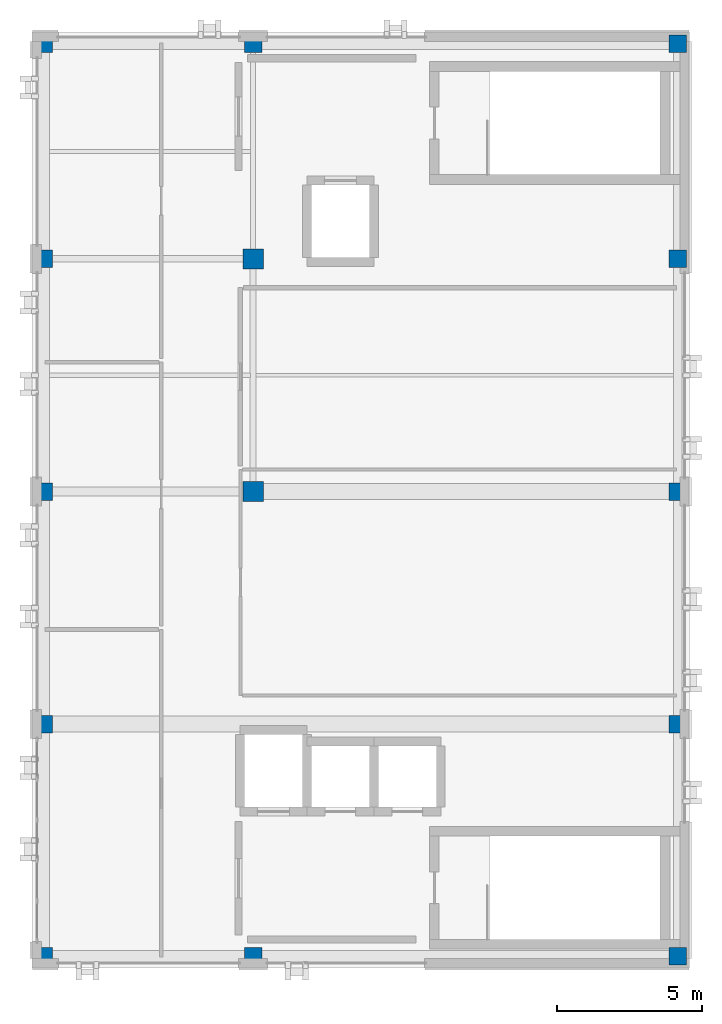
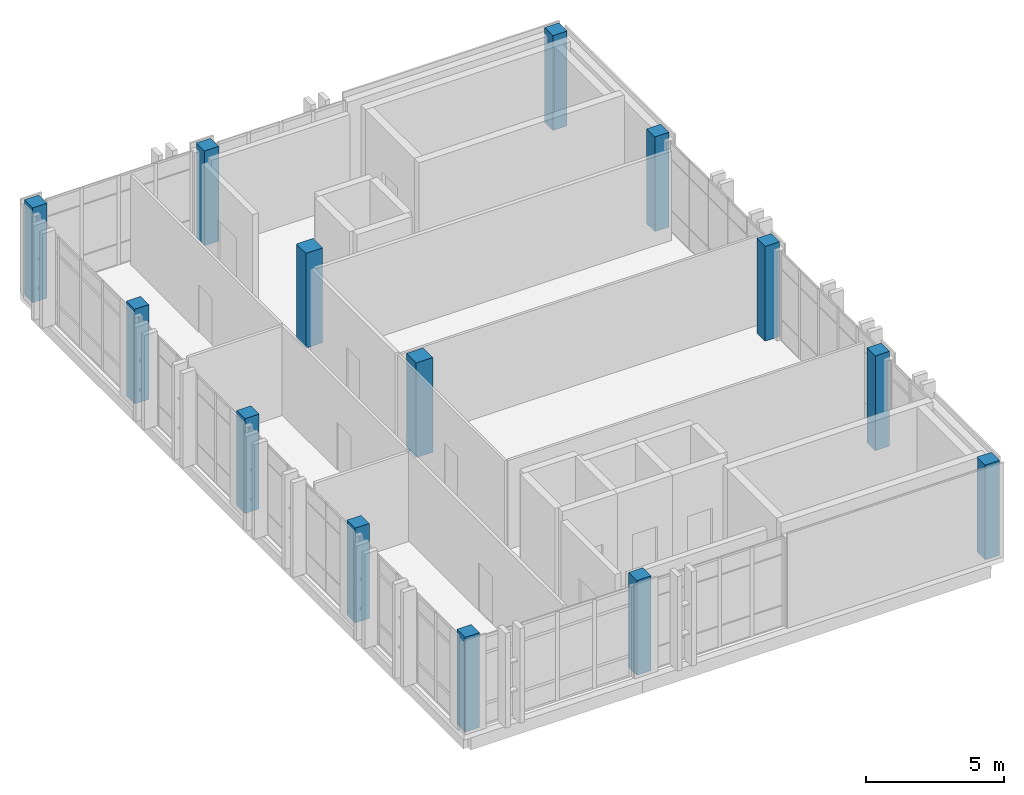
# One storey, part 1 of 19: 14 columns.
"""IFC4 building model written with IfcOpenShell, lengths in metres."""

from ifc_helpers import new_model, si_unit, direction, frame, origin, origin_2d, place, context, subcontext, project, spatial, rectangle, extrude, material, material_profile, profile_set, type_object, element, save


model = new_model("IFC4")

# Units and contexts
model_context = context("Model", 3, precision=1e-05, world=origin(), true_north=direction((0.0, 1.0)))
body_context = subcontext(model_context, "Body", "Model", "MODEL_VIEW")
ifc_project = project(units=[si_unit("LENGTHUNIT", "METRE"), si_unit("AREAUNIT", "SQUARE_METRE"), si_unit("VOLUMEUNIT", "CUBIC_METRE"), si_unit("PLANEANGLEUNIT", "RADIAN"), si_unit("MASSUNIT", "GRAM", prefix="KILO")], contexts=[model_context])

# Site, building, storey
site_placement = place(None, origin())
site = spatial("IfcSite", under=ifc_project, at=site_placement, CompositionType="ELEMENT")
building_placement = place(site_placement, origin())
building = spatial("IfcBuilding", under=site, at=building_placement, Name="Qalavern Law Courts", CompositionType="ELEMENT")
storey_placement = place(building_placement, frame((0.0, 0.0, 39.60009765625)))
storey = spatial("IfcBuildingStorey", under=building, at=storey_placement, Name="L09", CompositionType="ELEMENT", Elevation=39.60009765625)

# Columns
ifc_material = material(Name="Concrete C45/55", Category="concrete")
ifc_material_profile_1 = material_profile(ifc_material, rectangle(XDim=0.60009765625, YDim=0.60009765625, at=origin_2d()), Name="RC 600x600")
ifc_profile_set_1 = profile_set([ifc_material_profile_1], Name="Concrete C45/55")
column_type_1 = type_object("IfcColumnType", Name="STR-COL-RC600E", PredefinedType="COLUMN", material=ifc_profile_set_1)
for number, where, z_axis, x_axis, name in (
    (1, (84.60009765625, 41.419921875, 0.0), (0.0, 0.0, 1.0), (1.0, 0.0, 0.0), "V4 column 1-1 L09"),
    (2, (84.60009765625, 49.39990234375, 0.0), (0.0, 0.0, 1.0), (1.0, 0.0, 0.0), "V4 column 1-2 L09"),
    (3, (84.60009765625, 57.39990234375, 0.0), (0.0, 0.0, 1.0), (1.0, 0.0, 0.0), "V4 column 1-3 L09"),
    (4, (84.60009765625, 65.39990234375, 0.0), (0.0, 0.0, 1.0), (1.0, 0.0, 0.0), "V4 column 1-4 L09"),
    (5, (84.60009765625, 72.800048828125, 0.0), (0.0, 0.0, 1.0), (1.0, 0.0, 0.0), "V4 column 1-5 L09"),
    (6, (91.800048828125, 41.419921875, 0.0), (0.0, 0.0, 1.0), (1.0, 0.0, 0.0), "V4 column 2-1 L09"),
    (7, (91.800048828125, 72.800048828125, 0.0), (0.0, 0.0, 1.0), (1.0, 0.0, 0.0), "V4 column 2-5 L09"),
    (8, (106.39990234375, 41.419921875, 0.0), (0.0, 0.0, 1.0), (1.0, 0.0, 0.0), "V4 column 3-1 L09"),
    (9, (106.39990234375, 49.39990234375, 0.0), (0.0, 0.0, 1.0), (1.0, 0.0, 0.0), "V4 column 3-2 L09"),
    (10, (106.39990234375, 57.39990234375, 0.0), (0.0, 0.0, 1.0), (1.0, 0.0, 0.0), "V4 column 3-3 L09"),
    (11, (106.39990234375, 65.39990234375, 0.0), (0.0, 0.0, 1.0), (1.0, 0.0, 0.0), "V4 column 3-4 L09"),
    (12, (106.39990234375, 72.800048828125, 0.0), (0.0, 0.0, 1.0), (1.0, 0.0, 0.0), "V4 column 3-5 L09"),
):
    element("IfcColumn", number, at=place(storey_placement, frame(where, z_axis=z_axis, x_axis=x_axis)), inside=storey, type_object=column_type_1, Name=name, PredefinedType="COLUMN", context=body_context, shape_type="SweptSolid", body=[
        extrude(rectangle(XDim=0.60009765625, YDim=0.60009765625, at=origin_2d()), origin(), (0.0, 0.0, 1.0), 4.199951171875),
    ])
ifc_material_profile_2 = material_profile(ifc_material, rectangle(XDim=0.699951171875, YDim=0.699951171875, at=origin_2d()), Name="RC 700x700")
ifc_profile_set_2 = profile_set([ifc_material_profile_2], Name="Concrete C45/55")
column_type_2 = type_object("IfcColumnType", Name="STR-COL-RC700", PredefinedType="COLUMN", material=ifc_profile_set_2)
for number, where, z_axis, x_axis, name in (
    (13, (91.800048828125, 57.39990234375, 0.0), (0.0, 0.0, 1.0), (1.0, 0.0, 0.0), "V4 column 2-3 L09"),
    (14, (91.800048828125, 65.39990234375, 0.0), (0.0, 0.0, 1.0), (1.0, 0.0, 0.0), "V4 column 2-4 L09"),
):
    element("IfcColumn", number, at=place(storey_placement, frame(where, z_axis=z_axis, x_axis=x_axis)), inside=storey, type_object=column_type_2, Name=name, PredefinedType="COLUMN", context=body_context, shape_type="SweptSolid", body=[
        extrude(rectangle(XDim=0.699951171875, YDim=0.699951171875, at=origin_2d()), origin(), (0.0, 0.0, 1.0), 4.199951171875),
    ])

save(model, "model.ifc")
